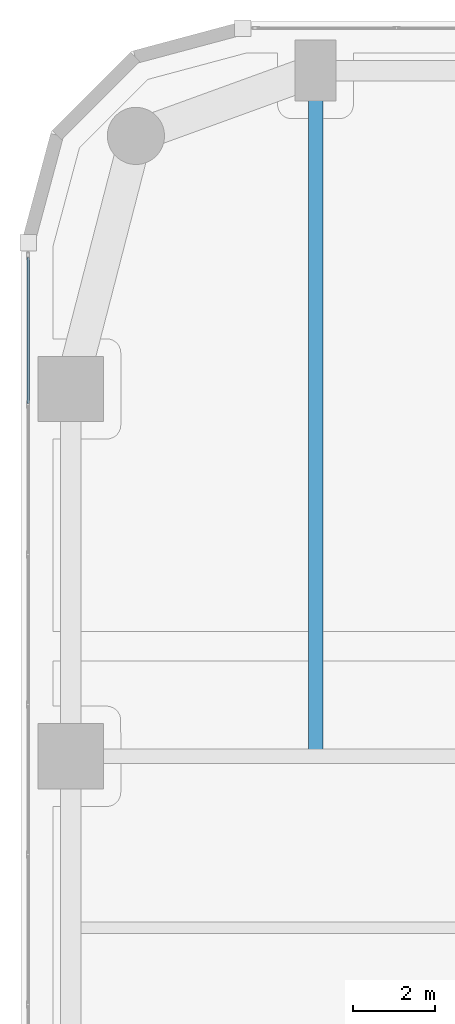
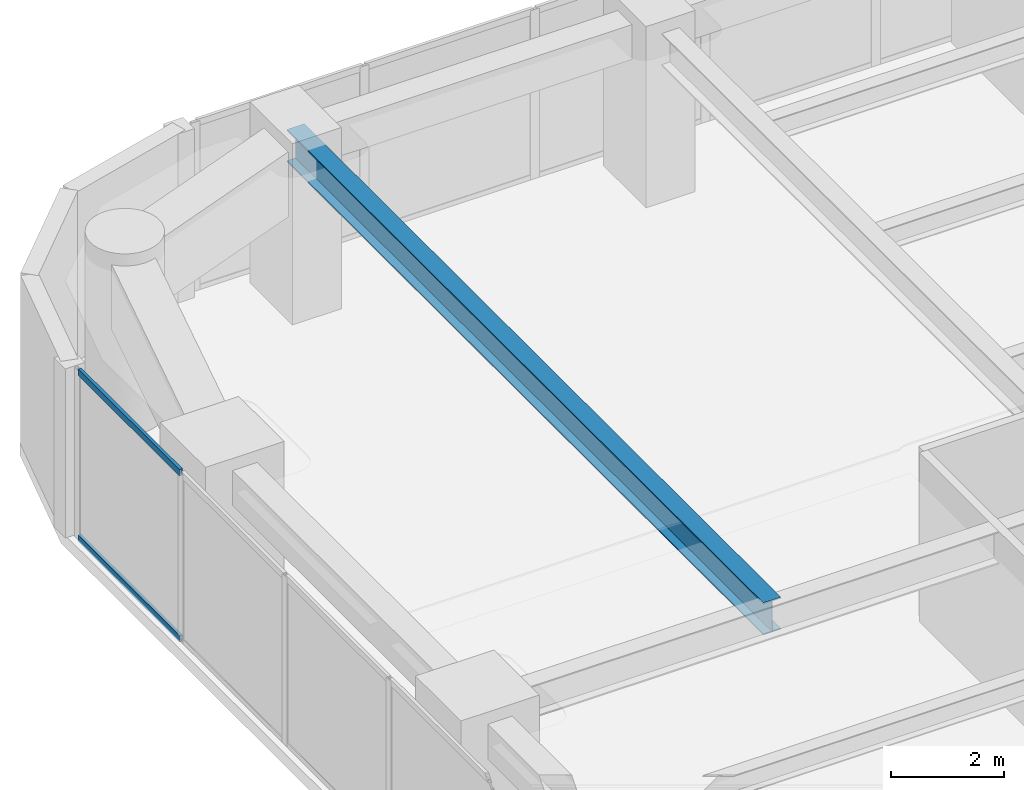
# One storey, part 13 of 29: 2 members, 1 beam, 1 element without a shape of its own.
"""IFC4 building model written with IfcOpenShell, lengths in metres."""

from ifc_helpers import new_model, si_unit, direction, frame, origin, origin_2d, place, context, subcontext, project, spatial, hollow_rectangle, i_section, extrude, material, layer, layer_set, material_profile, profile_set, type_object, element, aggregate, save


model = new_model("IFC4")

# Units and contexts
model_context = context("Model", 3, precision=1e-05, world=origin(), true_north=direction((0.0, 1.0)))
body_context = subcontext(model_context, "Body", "Model", "MODEL_VIEW")
ifc_project = project(units=[si_unit("LENGTHUNIT", "METRE"), si_unit("AREAUNIT", "SQUARE_METRE"), si_unit("VOLUMEUNIT", "CUBIC_METRE"), si_unit("PLANEANGLEUNIT", "RADIAN"), si_unit("MASSUNIT", "GRAM", prefix="KILO")], contexts=[model_context])

# Site, building, storey
site_placement = place(None, origin())
site = spatial("IfcSite", under=ifc_project, at=site_placement, CompositionType="ELEMENT")
building_placement = place(site_placement, origin())
building = spatial("IfcBuilding", under=site, at=building_placement, Name="Kiyonajd Concourse Tower", CompositionType="ELEMENT")
storey_placement = place(building_placement, frame((0.0, 0.0, 48.89990234375)))
storey = spatial("IfcBuildingStorey", under=building, at=storey_placement, Name="L13", CompositionType="ELEMENT", Elevation=48.89990234375)

# Beam
ifc_material_1 = material(Name="Steel ASTM A992 Grade 50", Category="steel")
ifc_material_profile_1 = material_profile(ifc_material_1, i_section(OverallWidth=0.35498046875, OverallDepth=0.695068359375, WebThickness=0.015380859375, FlangeThickness=0.02490234375, at=origin_2d()), Name="W690X217")
ifc_profile_set_1 = profile_set([ifc_material_profile_1], Name="Steel ASTM A992 Grade 50")
beam_type = type_object("IfcBeamType", Name="BM-TWR-690", PredefinedType="BEAM", material=ifc_profile_set_1)
beam_placement = place(storey_placement, frame((25.199951171875, 44.39990234375, 3.29248046875), z_axis=(0.0, 1.0, 0.0), x_axis=(-1.0, 0.0, 0.0)))
element("IfcBeam", 1, at=beam_placement, inside=storey, type_object=beam_type, Name="L13 North Lease Girder", PredefinedType="BEAM", context=body_context, shape_type="SweptSolid", body=[
    extrude(i_section(OverallWidth=0.35498046875, OverallDepth=0.695068359375, WebThickness=0.015380859375, FlangeThickness=0.02490234375, at=origin_2d()), origin(), (0.0, 0.0, 1.0), 16.800048828125),
])

# Curtain wall, members
ifc_material_2 = material(Name="Thermally Broken Anodised Aluminium", Category="aluminium")
ifc_layer = layer(ifc_material_2, 0.179931640625)
ifc_layer_set = layer_set([ifc_layer], Name="Thermally Broken Anodised Aluminium")
curtain_wall_type = type_object("IfcCurtainWallType", Name="CW-SYS-02", PredefinedType="NOTDEFINED", material=ifc_layer_set)
curtain_wall_placement = place(storey_placement, origin())
curtain_wall = element("IfcCurtainWall", 2, at=curtain_wall_placement, inside=storey, type_object=curtain_wall_type, Name="L13 Unitised Curtain Wall CW2", PredefinedType="NOTDEFINED")
ifc_material_profile_2 = material_profile(ifc_material_2, hollow_rectangle(XDim=0.06494140625, YDim=0.139892578125, WallThickness=0.00390625, at=origin_2d()), Name="TRAN-65x140")
ifc_profile_set_2 = profile_set([ifc_material_profile_2], Name="Thermally Broken Anodised Aluminium")
member_type = type_object("IfcMemberType", Name="MB-CW-TRAN1", PredefinedType="USERDEFINED", material=ifc_profile_set_2)
member_1_placement = place(storey_placement, frame((18.159912109375, 53.04833984375, 0.03271484375), z_axis=(0.0, 1.0, 0.0), x_axis=(-1.0, 0.0, 0.0)))
member_1 = element("IfcMember", 3, at=member_1_placement, type_object=member_type, Name="CW2 transom 6.1", ObjectType="TRANSOM", PredefinedType="USERDEFINED", context=body_context, shape_type="SweptSolid", body=[
    extrude(hollow_rectangle(XDim=0.06494140625, YDim=0.139892578125, WallThickness=0.00390625, at=origin_2d()), origin(), (0.0, 0.0, 1.0), 3.575439453125),
])
member_2_placement = place(storey_placement, frame((18.159912109375, 53.04833984375, 3.607666015625), z_axis=(0.0, 1.0, 0.0), x_axis=(-1.0, 0.0, 0.0)))
member_2 = element("IfcMember", 4, at=member_2_placement, type_object=member_type, Name="CW2 transom 6.2", ObjectType="TRANSOM", PredefinedType="USERDEFINED", context=body_context, shape_type="SweptSolid", body=[
    extrude(hollow_rectangle(XDim=0.06494140625, YDim=0.139892578125, WallThickness=0.00390625, at=origin_2d()), origin(), (0.0, 0.0, 1.0), 3.575439453125),
])
aggregate(curtain_wall, [member_1, member_2])

save(model, "model.ifc")
